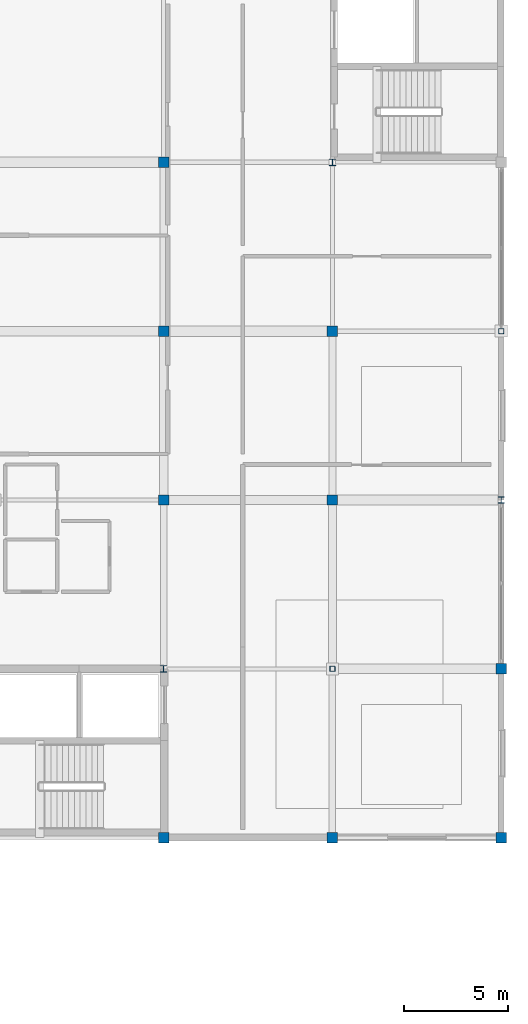
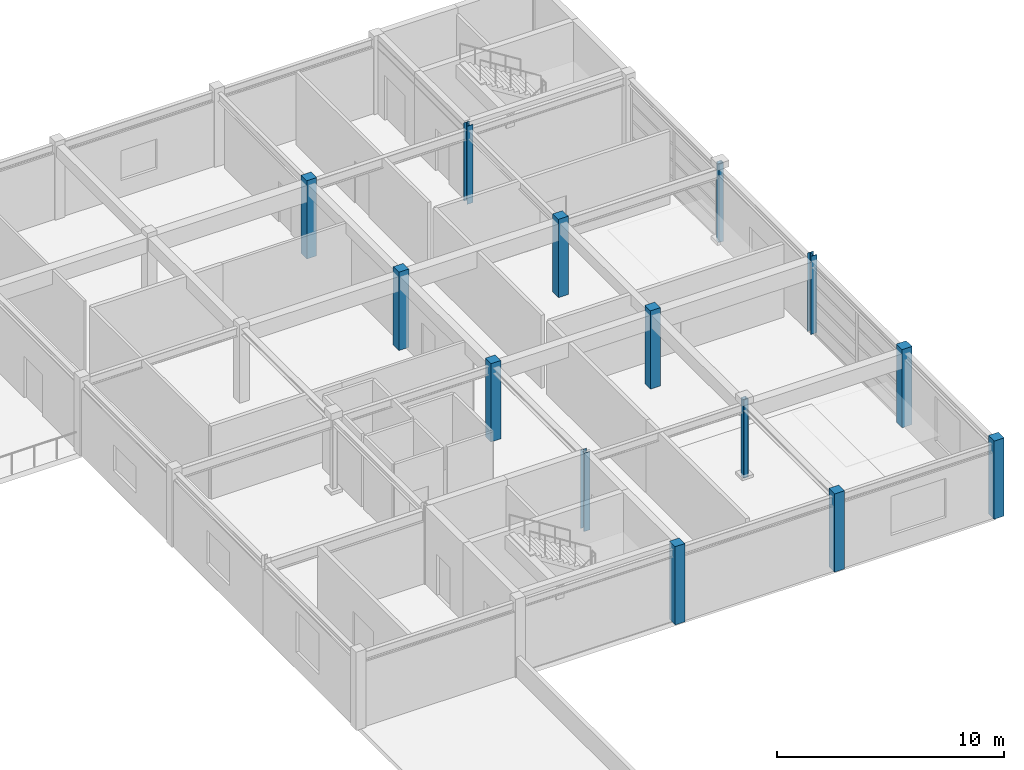
# One storey, part 8 of 54: 14 columns.
"""IFC4 building model written with IfcOpenShell, lengths in metres."""

from ifc_helpers import new_model, si_unit, direction, frame, origin, origin_2d, place, context, subcontext, project, spatial, rectangle, hollow_rectangle, i_section, extrude, material, material_profile, profile_set, type_object, element, save


model = new_model("IFC4")

# Units and contexts
model_context = context("Model", 3, precision=1e-05, world=origin(), true_north=direction((0.0, 1.0)))
body_context = subcontext(model_context, "Body", "Model", "MODEL_VIEW")
ifc_project = project(units=[si_unit("LENGTHUNIT", "METRE"), si_unit("AREAUNIT", "SQUARE_METRE"), si_unit("VOLUMEUNIT", "CUBIC_METRE"), si_unit("PLANEANGLEUNIT", "RADIAN"), si_unit("MASSUNIT", "GRAM", prefix="KILO")], contexts=[model_context])

# Site, building, storey
site_placement = place(None, origin())
site = spatial("IfcSite", under=ifc_project, at=site_placement, CompositionType="ELEMENT")
building_placement = place(site_placement, origin())
building = spatial("IfcBuilding", under=site, at=building_placement, Name="Parian Resonance Hall", CompositionType="ELEMENT")
storey_placement = place(building_placement, frame((0.0, 0.0, 15.0)))
storey = spatial("IfcBuildingStorey", under=building, at=storey_placement, Name="L03", CompositionType="ELEMENT", Elevation=15.0)

# Columns
ifc_material_1 = material(Name="Concrete C40/50", Category="concrete")
ifc_material_profile_1 = material_profile(ifc_material_1, rectangle(XDim=0.5, YDim=0.5, at=origin_2d()), Name="RC-COL-500x500")
ifc_profile_set_1 = profile_set([ifc_material_profile_1], Name="Concrete C40/50")
column_type_1 = type_object("IfcColumnType", Name="COL-RC500", PredefinedType="COLUMN", material=ifc_profile_set_1)
for number, where, z_axis, x_axis, name in (
    (1, (129.60009765625, 48.60009765625, 0.0), (0.0, 0.0, 1.0), (1.0, 0.0, 0.0), "Column G17-07 L03"),
    (2, (129.60009765625, 64.800048828125, 0.0), (0.0, 0.0, 1.0), (1.0, 0.0, 0.0), "Column G17-09 L03"),
    (3, (129.60009765625, 72.89990234375, 0.0), (0.0, 0.0, 1.0), (1.0, 0.0, 0.0), "Column G17-10 L03"),
    (4, (129.60009765625, 81.0, 0.0), (0.0, 0.0, 1.0), (1.0, 0.0, 0.0), "Column G17-11 L03"),
    (5, (137.699951171875, 48.60009765625, 0.0), (0.0, 0.0, 1.0), (1.0, 0.0, 0.0), "Column G18-07 L03"),
    (6, (137.699951171875, 64.800048828125, 0.0), (0.0, 0.0, 1.0), (1.0, 0.0, 0.0), "Column G18-09 L03"),
    (7, (137.699951171875, 72.89990234375, 0.0), (0.0, 0.0, 1.0), (1.0, 0.0, 0.0), "Column G18-10 L03"),
    (8, (145.800048828125, 48.60009765625, 0.0), (0.0, 0.0, 1.0), (1.0, 0.0, 0.0), "Column G19-07 L03"),
    (9, (145.800048828125, 56.699951171875, 0.0), (0.0, 0.0, 1.0), (1.0, 0.0, 0.0), "Column G19-08 L03"),
):
    element("IfcColumn", number, at=place(storey_placement, frame(where, z_axis=z_axis, x_axis=x_axis)), inside=storey, type_object=column_type_1, Name=name, PredefinedType="COLUMN", context=body_context, shape_type="SweptSolid", body=[
        extrude(rectangle(XDim=0.5, YDim=0.5, at=origin_2d()), origin(), (0.0, 0.0, 1.0), 4.199951171875),
    ])
ifc_material_2 = material(Name="Hollow structural steel S355", Category="steel")
ifc_material_profile_2 = material_profile(ifc_material_2, hollow_rectangle(XDim=0.25, YDim=0.25, WallThickness=0.012451171875, InnerFilletRadius=0.012451171875, OuterFilletRadius=0.02490234375, at=origin_2d()), Name="SHS250x250x12.5")
ifc_profile_set_2 = profile_set([ifc_material_profile_2], Name="Hollow structural steel S355")
column_type_2 = type_object("IfcColumnType", Name="COL-SHS250", PredefinedType="COLUMN", material=ifc_profile_set_2)
for number, where, z_axis, x_axis, name in (
    (10, (137.699951171875, 56.699951171875, 0.0), (0.0, 0.0, 1.0), (1.0, 0.0, 0.0), "Column G18-08 L03"),
    (11, (145.800048828125, 72.89990234375, 0.0), (0.0, 0.0, 1.0), (1.0, 0.0, 0.0), "Column G19-10 L03"),
):
    element("IfcColumn", number, at=place(storey_placement, frame(where, z_axis=z_axis, x_axis=x_axis)), inside=storey, type_object=column_type_2, Name=name, PredefinedType="COLUMN", context=body_context, shape_type="SweptSolid", body=[
        extrude(hollow_rectangle(XDim=0.25, YDim=0.25, WallThickness=0.012451171875, InnerFilletRadius=0.012451171875, OuterFilletRadius=0.02490234375, at=origin_2d()), origin(), (0.0, 0.0, 1.0), 4.199951171875),
    ])
ifc_material_3 = material(Name="Steel S355", Category="steel")
ifc_material_profile_3 = material_profile(ifc_material_3, i_section(OverallWidth=0.304931640625, OverallDepth=0.30810546875, WebThickness=0.010009765625, FlangeThickness=0.015380859375, FilletRadius=0.01513671875, at=origin_2d()), Name="W310x97")
ifc_profile_set_3 = profile_set([ifc_material_profile_3], Name="Steel S355")
column_type_3 = type_object("IfcColumnType", Name="COL-W310", PredefinedType="COLUMN", material=ifc_profile_set_3)
for number, where, z_axis, x_axis, name in (
    (12, (129.60009765625, 56.699951171875, 0.0), (0.0, 0.0, 1.0), (1.0, 0.0, 0.0), "Column G17-08 L03"),
    (13, (137.699951171875, 81.0, 0.0), (0.0, 0.0, 1.0), (1.0, 0.0, 0.0), "Column G18-11 L03"),
    (14, (145.800048828125, 64.800048828125, 0.0), (0.0, 0.0, 1.0), (1.0, 0.0, 0.0), "Column G19-09 L03"),
):
    element("IfcColumn", number, at=place(storey_placement, frame(where, z_axis=z_axis, x_axis=x_axis)), inside=storey, type_object=column_type_3, Name=name, PredefinedType="COLUMN", context=body_context, shape_type="SweptSolid", body=[
        extrude(i_section(OverallWidth=0.304931640625, OverallDepth=0.30810546875, WebThickness=0.010009765625, FlangeThickness=0.015380859375, FilletRadius=0.01513671875, at=origin_2d()), origin(), (0.0, 0.0, 1.0), 4.199951171875),
    ])

save(model, "model.ifc")
